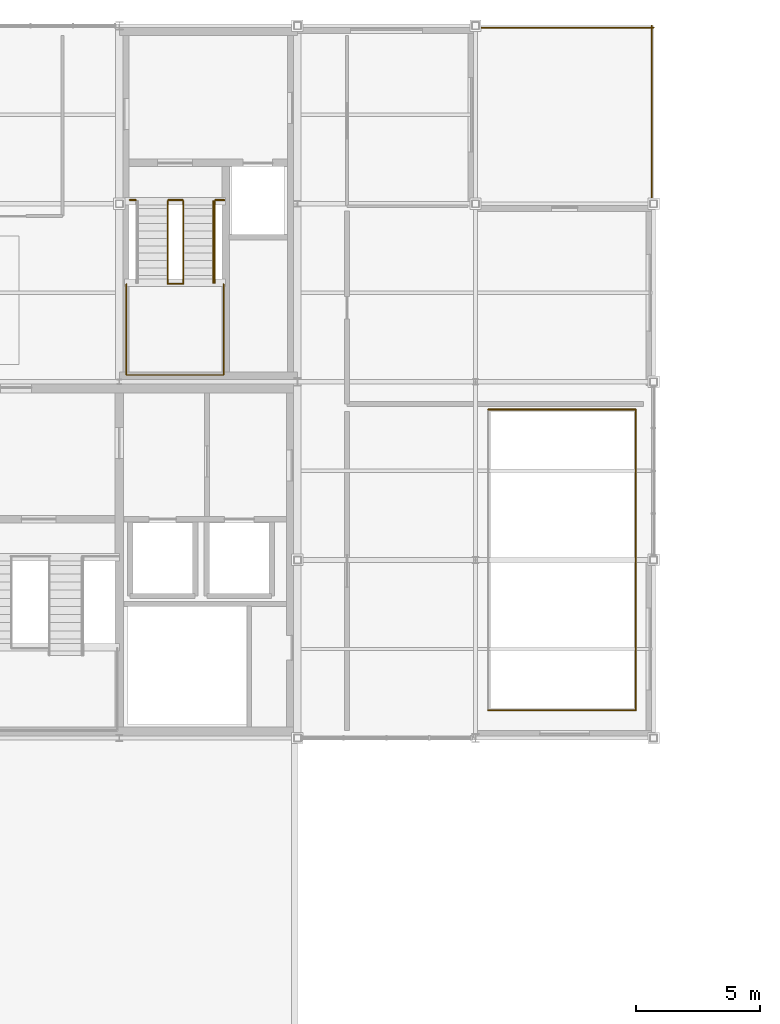
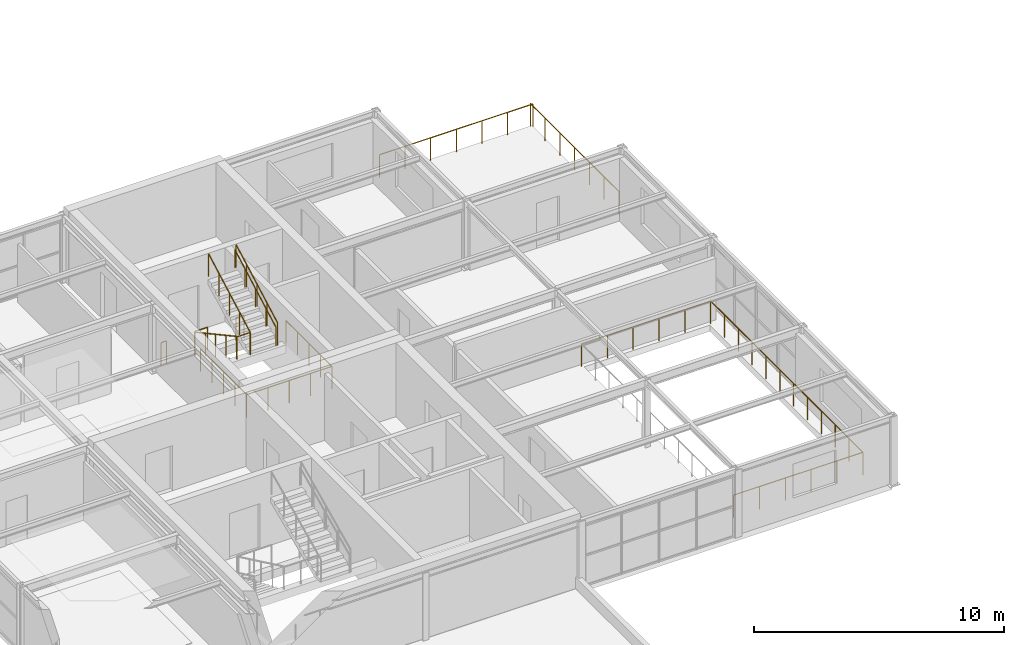
# One storey, part 21 of 22: 14 railings.
"""IFC4 building model written with IfcOpenShell, lengths in metres."""

from ifc_helpers import new_model, si_unit, direction, frame, origin, origin_2d, place, context, subcontext, project, spatial, circle, extrude, material, type_object, element, save


model = new_model("IFC4")

# Units and contexts
model_context = context("Model", 3, precision=1e-05, world=origin(), true_north=direction((0.0, 1.0)))
body_context = subcontext(model_context, "Body", "Model", "MODEL_VIEW")
ifc_project = project(units=[si_unit("LENGTHUNIT", "METRE"), si_unit("AREAUNIT", "SQUARE_METRE"), si_unit("VOLUMEUNIT", "CUBIC_METRE"), si_unit("PLANEANGLEUNIT", "RADIAN"), si_unit("MASSUNIT", "GRAM", prefix="KILO")], contexts=[model_context])

# Site, building, storey
site_placement = place(None, origin())
site = spatial("IfcSite", under=ifc_project, at=site_placement, CompositionType="ELEMENT")
building_placement = place(site_placement, origin())
building = spatial("IfcBuilding", under=site, at=building_placement, Name="Leyfeld Transit Interchange", CompositionType="ELEMENT")
storey_placement = place(building_placement, frame((0.0, 0.0, 18.0)))
storey = spatial("IfcBuildingStorey", under=building, at=storey_placement, Name="L04", CompositionType="ELEMENT", Elevation=18.0)

# Railings
ifc_material = material(Name="Stainless steel EN 1.4404", Category="steel")
railing_type_1 = type_object("IfcRailingType", Name="RL-BAL-1100", PredefinedType="BALUSTRADE", material=ifc_material)
railing_1_placement = place(storey_placement, frame((35.919921875, 115.320068359375, 0.0)))
element("IfcRailing", 1, at=railing_1_placement, inside=storey, type_object=railing_type_1, Name="Terrace Balustrade L04 018", PredefinedType="BALUSTRADE", context=body_context, shape_type="SweptSolid", body=[
    extrude(circle(Radius=0.02392578125, at=origin_2d()), frame((0.0, 0.0, 1.09619140625), z_axis=(0.0, 1.0, 0.0), x_axis=(-1.0, 0.0, 0.0)), (0.0, 0.0, 1.0), 7.079833984375),
    extrude(circle(Radius=0.02099609375, at=origin_2d()), origin(), (0.0, 0.0, 1.0), 1.072021484375),
    extrude(circle(Radius=0.02099609375, at=origin_2d()), frame((0.0, 1.179931640625, 0.0)), (0.0, 0.0, 1.0), 1.072021484375),
    extrude(circle(Radius=0.02099609375, at=origin_2d()), frame((0.0, 2.35986328125, 0.0)), (0.0, 0.0, 1.0), 1.072021484375),
    extrude(circle(Radius=0.02099609375, at=origin_2d()), frame((0.0, 3.5400390625, 0.0)), (0.0, 0.0, 1.0), 1.072021484375),
    extrude(circle(Radius=0.02099609375, at=origin_2d()), frame((0.0, 4.719970703125, 0.0)), (0.0, 0.0, 1.0), 1.072021484375),
    extrude(circle(Radius=0.02099609375, at=origin_2d()), frame((0.0, 5.89990234375, 0.0)), (0.0, 0.0, 1.0), 1.072021484375),
    extrude(circle(Radius=0.02099609375, at=origin_2d()), frame((0.0, 7.079833984375, 0.0)), (0.0, 0.0, 1.0), 1.072021484375),
])
railing_2_placement = place(storey_placement, frame((36.0, 122.320068359375, 0.0)))
element("IfcRailing", 2, at=railing_2_placement, inside=storey, type_object=railing_type_1, Name="Terrace Balustrade L04 019", PredefinedType="BALUSTRADE", context=body_context, shape_type="SweptSolid", body=[
    extrude(circle(Radius=0.02392578125, at=origin_2d()), frame((0.0, 0.0, 1.09619140625), z_axis=(-1.0, 0.0, 0.0), x_axis=(0.0, -1.0, 0.0)), (0.0, 0.0, 1.0), 7.080078125),
    extrude(circle(Radius=0.02099609375, at=origin_2d()), origin(), (0.0, 0.0, 1.0), 1.072021484375),
    extrude(circle(Radius=0.02099609375, at=origin_2d()), frame((-1.179931640625, 0.0, 0.0)), (0.0, 0.0, 1.0), 1.072021484375),
    extrude(circle(Radius=0.02099609375, at=origin_2d()), frame((-2.360107421875, 0.0, 0.0)), (0.0, 0.0, 1.0), 1.072021484375),
    extrude(circle(Radius=0.02099609375, at=origin_2d()), frame((-3.5400390625, 0.0, 0.0)), (0.0, 0.0, 1.0), 1.072021484375),
    extrude(circle(Radius=0.02099609375, at=origin_2d()), frame((-4.719970703125, 0.0, 0.0)), (0.0, 0.0, 1.0), 1.072021484375),
    extrude(circle(Radius=0.02099609375, at=origin_2d()), frame((-5.900146484375, 0.0, 0.0)), (0.0, 0.0, 1.0), 1.072021484375),
    extrude(circle(Radius=0.02099609375, at=origin_2d()), frame((-7.080078125, 0.0, 0.0)), (0.0, 0.0, 1.0), 1.072021484375),
])
railing_type_2 = type_object("IfcRailingType", Name="RL-STR-GRD-1100", PredefinedType="GUARDRAIL", material=ifc_material)
railing_3_placement = place(storey_placement, frame((14.820068359375, 115.35009765625, 0.0)))
element("IfcRailing", 3, at=railing_3_placement, inside=storey, type_object=railing_type_2, Name="Stair ST-02 Landing Guard FLW L04", PredefinedType="GUARDRAIL", context=body_context, shape_type="SweptSolid", body=[
    extrude(circle(Radius=0.02392578125, at=origin_2d()), frame((0.0, 0.0, 1.09619140625), z_axis=(1.0, 0.0, 0.0), x_axis=(0.0, 1.0, 0.0)), (0.0, 0.0, 1.0), 0.25),
    extrude(circle(Radius=0.02099609375, at=origin_2d()), origin(), (0.0, 0.0, 1.0), 1.072021484375),
    extrude(circle(Radius=0.02099609375, at=origin_2d()), frame((0.25, 0.0, 0.0)), (0.0, 0.0, 1.0), 1.072021484375),
])
railing_4_placement = place(storey_placement, frame((16.3701171875, 115.35009765625, 0.0)))
element("IfcRailing", 4, at=railing_4_placement, inside=storey, type_object=railing_type_2, Name="Stair ST-02 Landing Guard EYE L04", PredefinedType="GUARDRAIL", context=body_context, shape_type="SweptSolid", body=[
    extrude(circle(Radius=0.02392578125, at=origin_2d()), frame((0.0, 0.0, 1.09619140625), z_axis=(1.0, 0.0, 0.0), x_axis=(0.0, 1.0, 0.0)), (0.0, 0.0, 1.0), 0.599853515625),
    extrude(circle(Radius=0.02099609375, at=origin_2d()), origin(), (0.0, 0.0, 1.0), 1.072021484375),
    extrude(circle(Radius=0.02099609375, at=origin_2d()), frame((0.599853515625, 0.0, 0.0)), (0.0, 0.0, 1.0), 1.072021484375),
])
railing_5_placement = place(storey_placement, frame((18.27001953125, 115.35009765625, 0.0)))
element("IfcRailing", 5, at=railing_5_placement, inside=storey, type_object=railing_type_2, Name="Stair ST-02 Landing Guard FLE L04", PredefinedType="GUARDRAIL", context=body_context, shape_type="SweptSolid", body=[
    extrude(circle(Radius=0.02392578125, at=origin_2d()), frame((0.0, 0.0, 1.09619140625), z_axis=(1.0, 0.0, 0.0), x_axis=(0.0, 1.0, 0.0)), (0.0, 0.0, 1.0), 0.3798828125),
    extrude(circle(Radius=0.02099609375, at=origin_2d()), origin(), (0.0, 0.0, 1.0), 1.072021484375),
    extrude(circle(Radius=0.02099609375, at=origin_2d()), frame((0.3798828125, 0.0, 0.0)), (0.0, 0.0, 1.0), 1.072021484375),
])
railing_6_placement = place(storey_placement, frame((16.35498046875, 111.9599609375, 1.800048828125)))
element("IfcRailing", 6, at=railing_6_placement, inside=storey, type_object=railing_type_2, Name="Stair ST-02 L04 Half-Landing Inner Guard", PredefinedType="GUARDRAIL", context=body_context, shape_type="SweptSolid", body=[
    extrude(circle(Radius=0.02392578125, at=origin_2d()), frame((0.0, 0.0, 1.09619140625), z_axis=(1.0, 0.0, 0.0), x_axis=(0.0, 1.0, 0.0)), (0.0, 0.0, 1.0), 0.630126953125),
    extrude(circle(Radius=0.02099609375, at=origin_2d()), origin(), (0.0, 0.0, 1.0), 1.072021484375),
    extrude(circle(Radius=0.02099609375, at=origin_2d()), frame((0.630126953125, 0.0, 0.0)), (0.0, 0.0, 1.0), 1.072021484375),
])
railing_7_placement = place(storey_placement, frame((14.679931640625, 111.9599609375, 1.800048828125)))
element("IfcRailing", 7, at=railing_7_placement, inside=storey, type_object=railing_type_2, Name="Stair ST-02 L04 Half-Landing Perimeter Guard", PredefinedType="GUARDRAIL", context=body_context, shape_type="SweptSolid", body=[
    extrude(circle(Radius=0.02392578125, at=origin_2d()), frame((0.0, 0.0, 1.09619140625), z_axis=(0.0, -1.0, 0.0), x_axis=(1.0, 0.0, 0.0)), (0.0, 0.0, 1.0), 3.679931640625),
    extrude(circle(Radius=0.02392578125, at=origin_2d()), frame((0.0, -3.679931640625, 1.09619140625), z_axis=(1.0, 0.0, 0.0), x_axis=(0.0, 1.0, 0.0)), (0.0, 0.0, 1.0), 3.940185546875),
    extrude(circle(Radius=0.02392578125, at=origin_2d()), frame((3.940185546875, -3.679931640625, 1.09619140625), z_axis=(0.0, 1.0, 0.0), x_axis=(-1.0, 0.0, 0.0)), (0.0, 0.0, 1.0), 3.679931640625),
    extrude(circle(Radius=0.02099609375, at=origin_2d()), origin(), (0.0, 0.0, 1.0), 1.072021484375),
    extrude(circle(Radius=0.02099609375, at=origin_2d()), frame((0.0, -0.919921875, 0.0)), (0.0, 0.0, 1.0), 1.072021484375),
    extrude(circle(Radius=0.02099609375, at=origin_2d()), frame((0.0, -1.83984375, 0.0)), (0.0, 0.0, 1.0), 1.072021484375),
    extrude(circle(Radius=0.02099609375, at=origin_2d()), frame((0.0, -2.760009765625, 0.0)), (0.0, 0.0, 1.0), 1.072021484375),
    extrude(circle(Radius=0.02099609375, at=origin_2d()), frame((0.0, -3.679931640625, 0.0)), (0.0, 0.0, 1.0), 1.072021484375),
    extrude(circle(Radius=0.02099609375, at=origin_2d()), frame((0.985107421875, -3.679931640625, 0.0)), (0.0, 0.0, 1.0), 1.072021484375),
    extrude(circle(Radius=0.02099609375, at=origin_2d()), frame((1.97021484375, -3.679931640625, 0.0)), (0.0, 0.0, 1.0), 1.072021484375),
    extrude(circle(Radius=0.02099609375, at=origin_2d()), frame((2.955078125, -3.679931640625, 0.0)), (0.0, 0.0, 1.0), 1.072021484375),
    extrude(circle(Radius=0.02099609375, at=origin_2d()), frame((3.940185546875, -3.679931640625, 0.0)), (0.0, 0.0, 1.0), 1.072021484375),
    extrude(circle(Radius=0.02099609375, at=origin_2d()), frame((3.940185546875, -2.760009765625, 0.0)), (0.0, 0.0, 1.0), 1.072021484375),
    extrude(circle(Radius=0.02099609375, at=origin_2d()), frame((3.940185546875, -1.83984375, 0.0)), (0.0, 0.0, 1.0), 1.072021484375),
    extrude(circle(Radius=0.02099609375, at=origin_2d()), frame((3.940185546875, -0.919921875, 0.0)), (0.0, 0.0, 1.0), 1.072021484375),
    extrude(circle(Radius=0.02099609375, at=origin_2d()), frame((3.940185546875, 0.0, 0.0)), (0.0, 0.0, 1.0), 1.072021484375),
])
railing_8_placement = place(storey_placement, frame((16.35498046875, 115.300048828125, 0.0)))
element("IfcRailing", 8, at=railing_8_placement, inside=storey, type_object=railing_type_2, Name="Stair ST-02 L04 F1 Inner Guard", PredefinedType="GUARDRAIL", context=body_context, shape_type="SweptSolid", body=[
    extrude(circle(Radius=0.02392578125, at=origin_2d()), frame((0.0, 0.0, 1.09619140625), z_axis=(0.0, -0.877893090839, 0.478856681124), x_axis=(1.0, 0.0, 0.0)), (0.0, 0.0, 1.0), 3.759033203125),
    extrude(circle(Radius=0.02099609375, at=origin_2d()), origin(), (0.0, 0.0, 1.0), 1.072021484375),
    extrude(circle(Radius=0.02099609375, at=origin_2d()), frame((0.0, -0.824951171875, 0.449951171875)), (0.0, 0.0, 1.0), 1.072021484375),
    extrude(circle(Radius=0.02099609375, at=origin_2d()), frame((0.0, -1.64990234375, 0.89990234375)), (0.0, 0.0, 1.0), 1.072021484375),
    extrude(circle(Radius=0.02099609375, at=origin_2d()), frame((0.0, -2.47509765625, 1.35009765625)), (0.0, 0.0, 1.0), 1.072021484375),
    extrude(circle(Radius=0.02099609375, at=origin_2d()), frame((0.0, -3.300048828125, 1.800048828125)), (0.0, 0.0, 1.0), 1.072021484375),
])
for number, where, name in (
    (9, (16.985107421875, 112.0, 1.800048828125), "Stair ST-02 L04 F2 Inner Guard"),
    (10, (18.2548828125, 112.0, 1.800048828125), "Stair ST-02 L04 F2 Outer Guard"),
):
    element("IfcRailing", number, at=place(storey_placement, frame(where)), inside=storey, type_object=railing_type_2, Name=name, PredefinedType="GUARDRAIL", context=body_context, shape_type="SweptSolid", body=[
        extrude(circle(Radius=0.02392578125, at=origin_2d()), frame((0.0, 0.0, 1.09619140625), z_axis=(0.0, 0.877893090839, 0.478856681124), x_axis=(-1.0, 0.0, 0.0)), (0.0, 0.0, 1.0), 3.759033203125),
        extrude(circle(Radius=0.02099609375, at=origin_2d()), origin(), (0.0, 0.0, 1.0), 1.072021484375),
        extrude(circle(Radius=0.02099609375, at=origin_2d()), frame((0.0, 0.824951171875, 0.449951171875)), (0.0, 0.0, 1.0), 1.072021484375),
        extrude(circle(Radius=0.02099609375, at=origin_2d()), frame((0.0, 1.64990234375, 0.89990234375)), (0.0, 0.0, 1.0), 1.072021484375),
        extrude(circle(Radius=0.02099609375, at=origin_2d()), frame((0.0, 2.47509765625, 1.35009765625)), (0.0, 0.0, 1.0), 1.072021484375),
        extrude(circle(Radius=0.02099609375, at=origin_2d()), frame((0.0, 3.300048828125, 1.800048828125)), (0.0, 0.0, 1.0), 1.072021484375),
    ])
railing_9_placement = place(storey_placement, frame((29.320068359375, 94.719970703125, 0.0)))
element("IfcRailing", 11, at=railing_9_placement, inside=storey, type_object=railing_type_2, Name="Atrium Overlook Guard L04 09", PredefinedType="GUARDRAIL", context=body_context, shape_type="SweptSolid", body=[
    extrude(circle(Radius=0.02392578125, at=origin_2d()), frame((0.0, 0.0, 1.09619140625), z_axis=(1.0, 0.0, 0.0), x_axis=(0.0, 1.0, 0.0)), (0.0, 0.0, 1.0), 5.9599609375),
    extrude(circle(Radius=0.02099609375, at=origin_2d()), origin(), (0.0, 0.0, 1.0), 1.072021484375),
    extrude(circle(Radius=0.02099609375, at=origin_2d()), frame((1.19189453125, 0.0, 0.0)), (0.0, 0.0, 1.0), 1.072021484375),
    extrude(circle(Radius=0.02099609375, at=origin_2d()), frame((2.384033203125, 0.0, 0.0)), (0.0, 0.0, 1.0), 1.072021484375),
    extrude(circle(Radius=0.02099609375, at=origin_2d()), frame((3.575927734375, 0.0, 0.0)), (0.0, 0.0, 1.0), 1.072021484375),
    extrude(circle(Radius=0.02099609375, at=origin_2d()), frame((4.76806640625, 0.0, 0.0)), (0.0, 0.0, 1.0), 1.072021484375),
    extrude(circle(Radius=0.02099609375, at=origin_2d()), frame((5.9599609375, 0.0, 0.0)), (0.0, 0.0, 1.0), 1.072021484375),
])
railing_10_placement = place(storey_placement, frame((35.280029296875, 94.719970703125, 0.0)))
element("IfcRailing", 12, at=railing_10_placement, inside=storey, type_object=railing_type_2, Name="Atrium Overlook Guard L04 10", PredefinedType="GUARDRAIL", context=body_context, shape_type="SweptSolid", body=[
    extrude(circle(Radius=0.02392578125, at=origin_2d()), frame((0.0, 0.0, 1.09619140625), z_axis=(0.0, 1.0, 0.0), x_axis=(-1.0, 0.0, 0.0)), (0.0, 0.0, 1.0), 12.159912109375),
    extrude(circle(Radius=0.02099609375, at=origin_2d()), origin(), (0.0, 0.0, 1.0), 1.072021484375),
    extrude(circle(Radius=0.02099609375, at=origin_2d()), frame((0.0, 1.10546875, 0.0)), (0.0, 0.0, 1.0), 1.072021484375),
    extrude(circle(Radius=0.02099609375, at=origin_2d()), frame((0.0, 2.2109375, 0.0)), (0.0, 0.0, 1.0), 1.072021484375),
    extrude(circle(Radius=0.02099609375, at=origin_2d()), frame((0.0, 3.31640625, 0.0)), (0.0, 0.0, 1.0), 1.072021484375),
    extrude(circle(Radius=0.02099609375, at=origin_2d()), frame((0.0, 4.421875, 0.0)), (0.0, 0.0, 1.0), 1.072021484375),
    extrude(circle(Radius=0.02099609375, at=origin_2d()), frame((0.0, 5.52734375, 0.0)), (0.0, 0.0, 1.0), 1.072021484375),
    extrude(circle(Radius=0.02099609375, at=origin_2d()), frame((0.0, 6.632568359375, 0.0)), (0.0, 0.0, 1.0), 1.072021484375),
    extrude(circle(Radius=0.02099609375, at=origin_2d()), frame((0.0, 7.738037109375, 0.0)), (0.0, 0.0, 1.0), 1.072021484375),
    extrude(circle(Radius=0.02099609375, at=origin_2d()), frame((0.0, 8.843505859375, 0.0)), (0.0, 0.0, 1.0), 1.072021484375),
    extrude(circle(Radius=0.02099609375, at=origin_2d()), frame((0.0, 9.948974609375, 0.0)), (0.0, 0.0, 1.0), 1.072021484375),
    extrude(circle(Radius=0.02099609375, at=origin_2d()), frame((0.0, 11.054443359375, 0.0)), (0.0, 0.0, 1.0), 1.072021484375),
    extrude(circle(Radius=0.02099609375, at=origin_2d()), frame((0.0, 12.159912109375, 0.0)), (0.0, 0.0, 1.0), 1.072021484375),
])
railing_11_placement = place(storey_placement, frame((35.280029296875, 106.8798828125, 0.0)))
element("IfcRailing", 13, at=railing_11_placement, inside=storey, type_object=railing_type_2, Name="Atrium Overlook Guard L04 11", PredefinedType="GUARDRAIL", context=body_context, shape_type="SweptSolid", body=[
    extrude(circle(Radius=0.02392578125, at=origin_2d()), frame((0.0, 0.0, 1.09619140625), z_axis=(-1.0, 0.0, 0.0), x_axis=(0.0, -1.0, 0.0)), (0.0, 0.0, 1.0), 5.9599609375),
    extrude(circle(Radius=0.02099609375, at=origin_2d()), origin(), (0.0, 0.0, 1.0), 1.072021484375),
    extrude(circle(Radius=0.02099609375, at=origin_2d()), frame((-1.19189453125, 0.0, 0.0)), (0.0, 0.0, 1.0), 1.072021484375),
    extrude(circle(Radius=0.02099609375, at=origin_2d()), frame((-2.384033203125, 0.0, 0.0)), (0.0, 0.0, 1.0), 1.072021484375),
    extrude(circle(Radius=0.02099609375, at=origin_2d()), frame((-3.575927734375, 0.0, 0.0)), (0.0, 0.0, 1.0), 1.072021484375),
    extrude(circle(Radius=0.02099609375, at=origin_2d()), frame((-4.76806640625, 0.0, 0.0)), (0.0, 0.0, 1.0), 1.072021484375),
    extrude(circle(Radius=0.02099609375, at=origin_2d()), frame((-5.9599609375, 0.0, 0.0)), (0.0, 0.0, 1.0), 1.072021484375),
])
railing_type_3 = type_object("IfcRailingType", Name="RL-STR-HND-900", PredefinedType="HANDRAIL", material=ifc_material)
railing_12_placement = place(storey_placement, frame((18.195068359375, 112.0, 1.800048828125)))
element("IfcRailing", 14, at=railing_12_placement, inside=storey, type_object=railing_type_3, Name="Stair ST-02 L04 F2 Handrail", PredefinedType="HANDRAIL", context=body_context, shape_type="SweptSolid", body=[
    extrude(circle(Radius=0.02392578125, at=origin_2d()), frame((0.0, 0.0, 0.8759765625), z_axis=(0.0, 0.877893090839, 0.478856681124), x_axis=(-1.0, 0.0, 0.0)), (0.0, 0.0, 1.0), 3.759033203125),
    extrude(circle(Radius=0.02099609375, at=origin_2d()), origin(), (0.0, 0.0, 1.0), 0.851806640625),
    extrude(circle(Radius=0.02099609375, at=origin_2d()), frame((0.0, 0.824951171875, 0.449951171875)), (0.0, 0.0, 1.0), 0.851806640625),
    extrude(circle(Radius=0.02099609375, at=origin_2d()), frame((0.0, 1.64990234375, 0.89990234375)), (0.0, 0.0, 1.0), 0.851806640625),
    extrude(circle(Radius=0.02099609375, at=origin_2d()), frame((0.0, 2.47509765625, 1.35009765625)), (0.0, 0.0, 1.0), 0.851806640625),
    extrude(circle(Radius=0.02099609375, at=origin_2d()), frame((0.0, 3.300048828125, 1.800048828125)), (0.0, 0.0, 1.0), 0.851806640625),
])

save(model, "model.ifc")
